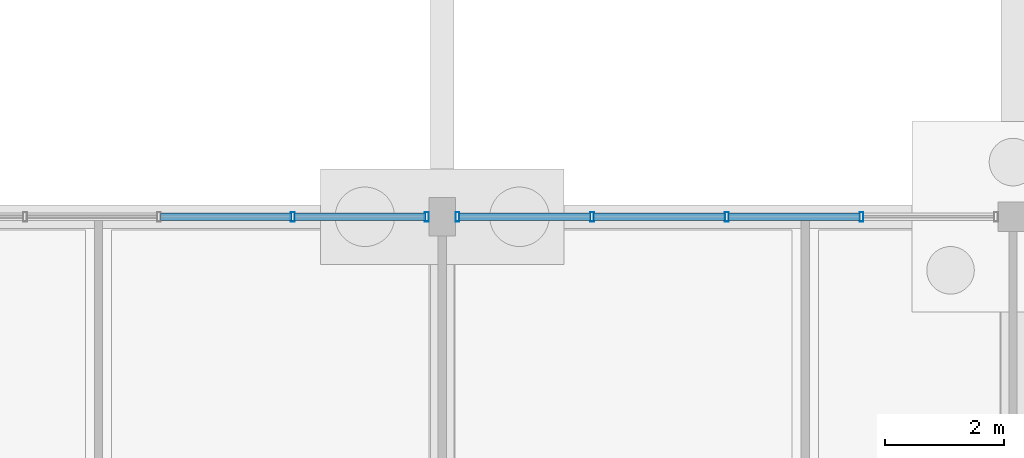
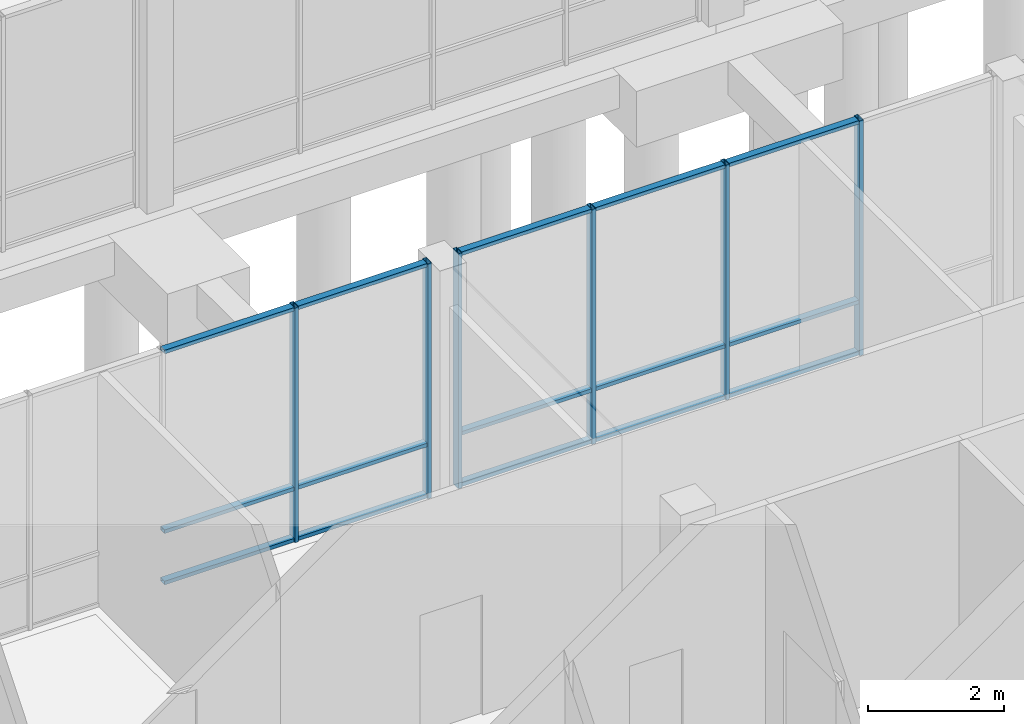
# One storey, part 51 of 104: 21 members, 2 elements without a shape of their own.
"""IFC4 building model written with IfcOpenShell, lengths in metres."""

from ifc_helpers import new_model, si_unit, direction, frame, origin, origin_2d, place, context, subcontext, project, spatial, hollow_rectangle, extrude, material, material_profile, profile_set, type_object, element, aggregate, save


model = new_model("IFC4")

# Units and contexts
model_context = context("Model", 3, precision=1e-05, world=origin(), true_north=direction((0.0, 1.0)))
body_context = subcontext(model_context, "Body", "Model", "MODEL_VIEW")
ifc_project = project(units=[si_unit("LENGTHUNIT", "METRE"), si_unit("AREAUNIT", "SQUARE_METRE"), si_unit("VOLUMEUNIT", "CUBIC_METRE"), si_unit("PLANEANGLEUNIT", "RADIAN"), si_unit("MASSUNIT", "GRAM", prefix="KILO")], contexts=[model_context])

# Site, building, storey
site_placement = place(None, origin())
site = spatial("IfcSite", under=ifc_project, at=site_placement, CompositionType="ELEMENT")
building_placement = place(site_placement, origin())
building = spatial("IfcBuilding", under=site, at=building_placement, Name="Hawrajan Terrace Health Centre", CompositionType="ELEMENT")
storey_placement = place(building_placement, origin())
storey = spatial("IfcBuildingStorey", under=building, at=storey_placement, Name="L00", CompositionType="ELEMENT", Elevation=0.0)

# Curtain wall, members
ifc_material_1 = material(Name="Anodized bronze aluminium and low-E solar glazing", Category="aluminium")
curtain_wall_type_1 = type_object("IfcCurtainWallType", Name="CW_Garden_SeriesF2", PredefinedType="USERDEFINED", material=ifc_material_1)
curtain_wall_1_placement = place(storey_placement, origin())
curtain_wall_1 = element("IfcCurtainWall", 1, at=curtain_wall_1_placement, inside=storey, type_object=curtain_wall_type_1, Name="Curtain wall CW-L00-039", ObjectType="UNITISED CURTAIN WALL", PredefinedType="USERDEFINED")
ifc_material_2 = material(Name="Anodized bronze aluminium 6063-T6", Category="aluminium")
ifc_material_profile_1 = material_profile(ifc_material_2, hollow_rectangle(XDim=0.06494140625, YDim=0.159912109375, WallThickness=0.00390625, at=origin_2d()), Name="CW MUL 65x160")
ifc_profile_set_1 = profile_set([ifc_material_profile_1], Name="Anodized bronze aluminium 6063-T6")
member_type_1 = type_object("IfcMemberType", Name="CWMullion_65x160", PredefinedType="MULLION", material=ifc_profile_set_1)
member_1_placement = place(storey_placement, frame((88.489990234375, 18.60009765625, -0.0048828125), z_axis=(0.0, 0.0, 1.0), x_axis=(1.0, 0.0, 0.0)))
member_1 = element("IfcMember", 2, at=member_1_placement, type_object=member_type_1, Name="Mullion CW-L00-039-M4", PredefinedType="MULLION", context=body_context, shape_type="SweptSolid", body=[
    extrude(hollow_rectangle(XDim=0.06494140625, YDim=0.159912109375, WallThickness=0.00390625, at=origin_2d()), origin(), (0.0, 0.0, 1.0), 4.2099609375),
])
member_2_placement = place(storey_placement, frame((90.742431640625, 18.60009765625, -0.0048828125), z_axis=(0.0, 0.0, 1.0), x_axis=(1.0, 0.0, 0.0)))
member_2 = element("IfcMember", 3, at=member_2_placement, type_object=member_type_1, Name="Mullion CW-L00-039-M5", PredefinedType="MULLION", context=body_context, shape_type="SweptSolid", body=[
    extrude(hollow_rectangle(XDim=0.06494140625, YDim=0.159912109375, WallThickness=0.00390625, at=origin_2d()), origin(), (0.0, 0.0, 1.0), 4.2099609375),
])

curtain_wall_type_2 = type_object("IfcCurtainWallType", Name="CW_Clerestory_SeriesG3", PredefinedType="USERDEFINED", material=ifc_material_1)
curtain_wall_2_placement = place(storey_placement, origin())
curtain_wall_2 = element("IfcCurtainWall", 4, at=curtain_wall_2_placement, inside=storey, type_object=curtain_wall_type_2, Name="Curtain wall CW-L00-042", ObjectType="UNITISED CURTAIN WALL", PredefinedType="USERDEFINED")
member_3_placement = place(storey_placement, frame((91.257568359375, 18.60009765625, -0.0048828125), z_axis=(0.0, 0.0, 1.0), x_axis=(1.0, 0.0, 0.0)))
member_3 = element("IfcMember", 5, at=member_3_placement, type_object=member_type_1, Name="Mullion CW-L00-042-M1", PredefinedType="MULLION", context=body_context, shape_type="SweptSolid", body=[
    extrude(hollow_rectangle(XDim=0.06494140625, YDim=0.159912109375, WallThickness=0.00390625, at=origin_2d()), origin(), (0.0, 0.0, 1.0), 4.2099609375),
])
member_4_placement = place(storey_placement, frame((93.5224609375, 18.60009765625, -0.0048828125), z_axis=(0.0, 0.0, 1.0), x_axis=(1.0, 0.0, 0.0)))
member_4 = element("IfcMember", 6, at=member_4_placement, type_object=member_type_1, Name="Mullion CW-L00-042-M2", PredefinedType="MULLION", context=body_context, shape_type="SweptSolid", body=[
    extrude(hollow_rectangle(XDim=0.06494140625, YDim=0.159912109375, WallThickness=0.00390625, at=origin_2d()), origin(), (0.0, 0.0, 1.0), 4.2099609375),
])
member_5_placement = place(storey_placement, frame((95.78759765625, 18.60009765625, -0.0048828125), z_axis=(0.0, 0.0, 1.0), x_axis=(1.0, 0.0, 0.0)))
member_5 = element("IfcMember", 7, at=member_5_placement, type_object=member_type_1, Name="Mullion CW-L00-042-M3", PredefinedType="MULLION", context=body_context, shape_type="SweptSolid", body=[
    extrude(hollow_rectangle(XDim=0.06494140625, YDim=0.159912109375, WallThickness=0.00390625, at=origin_2d()), origin(), (0.0, 0.0, 1.0), 4.2099609375),
])
member_6_placement = place(storey_placement, frame((98.052490234375, 18.60009765625, -0.0048828125), z_axis=(0.0, 0.0, 1.0), x_axis=(1.0, 0.0, 0.0)))
member_6 = element("IfcMember", 8, at=member_6_placement, type_object=member_type_1, Name="Mullion CW-L00-042-M4", PredefinedType="MULLION", context=body_context, shape_type="SweptSolid", body=[
    extrude(hollow_rectangle(XDim=0.06494140625, YDim=0.159912109375, WallThickness=0.00390625, at=origin_2d()), origin(), (0.0, 0.0, 1.0), 4.2099609375),
])

# Member
ifc_material_profile_2 = material_profile(ifc_material_2, hollow_rectangle(XDim=0.06494140625, YDim=0.1201171875, WallThickness=0.00341796875, at=origin_2d()), Name="CW TRN 65x120")
ifc_profile_set_2 = profile_set([ifc_material_profile_2], Name="Anodized bronze aluminium 6063-T6")
member_type_2 = type_object("IfcMemberType", Name="CWTransom_65x120", PredefinedType="USERDEFINED", material=ifc_profile_set_2)
member_7_placement = place(storey_placement, frame((86.263916015625, 18.60009765625, 0.032470703125), z_axis=(1.0, 0.0, 0.0), x_axis=(0.0, 0.0, 1.0)))
member_7 = element("IfcMember", 9, at=member_7_placement, type_object=member_type_2, Name="Transom CW-L00-039-T3-1", ObjectType="TRANSOM", PredefinedType="USERDEFINED", context=body_context, shape_type="SweptSolid", body=[
    extrude(hollow_rectangle(XDim=0.06494140625, YDim=0.1201171875, WallThickness=0.00341796875, at=origin_2d()), origin(), (0.0, 0.0, 1.0), 2.199462890625),
])

member_8_placement = place(storey_placement, frame((86.263916015625, 18.60009765625, 0.949951171875), z_axis=(1.0, 0.0, 0.0), x_axis=(0.0, 0.0, 1.0)))
member_8 = element("IfcMember", 10, at=member_8_placement, type_object=member_type_2, Name="Transom CW-L00-039-T3-2", ObjectType="TRANSOM", PredefinedType="USERDEFINED", context=body_context, shape_type="SweptSolid", body=[
    extrude(hollow_rectangle(XDim=0.06494140625, YDim=0.1201171875, WallThickness=0.00341796875, at=origin_2d()), origin(), (0.0, 0.0, 1.0), 2.199462890625),
])

member_9_placement = place(storey_placement, frame((86.263916015625, 18.60009765625, 4.16748046875), z_axis=(1.0, 0.0, 0.0), x_axis=(0.0, 0.0, 1.0)))
member_9 = element("IfcMember", 11, at=member_9_placement, type_object=member_type_2, Name="Transom CW-L00-039-T3-3", ObjectType="TRANSOM", PredefinedType="USERDEFINED", context=body_context, shape_type="SweptSolid", body=[
    extrude(hollow_rectangle(XDim=0.06494140625, YDim=0.1201171875, WallThickness=0.00341796875, at=origin_2d()), origin(), (0.0, 0.0, 1.0), 2.199462890625),
])

member_10_placement = place(storey_placement, frame((88.5166015625, 18.60009765625, 0.032470703125), z_axis=(1.0, 0.0, 0.0), x_axis=(0.0, 0.0, 1.0)))
member_10 = element("IfcMember", 12, at=member_10_placement, type_object=member_type_2, Name="Transom CW-L00-039-T4-1", ObjectType="TRANSOM", PredefinedType="USERDEFINED", context=body_context, shape_type="SweptSolid", body=[
    extrude(hollow_rectangle(XDim=0.06494140625, YDim=0.1201171875, WallThickness=0.00341796875, at=origin_2d()), origin(), (0.0, 0.0, 1.0), 2.199462890625),
])

member_11_placement = place(storey_placement, frame((88.5166015625, 18.60009765625, 0.949951171875), z_axis=(1.0, 0.0, 0.0), x_axis=(0.0, 0.0, 1.0)))
member_11 = element("IfcMember", 13, at=member_11_placement, type_object=member_type_2, Name="Transom CW-L00-039-T4-2", ObjectType="TRANSOM", PredefinedType="USERDEFINED", context=body_context, shape_type="SweptSolid", body=[
    extrude(hollow_rectangle(XDim=0.06494140625, YDim=0.1201171875, WallThickness=0.00341796875, at=origin_2d()), origin(), (0.0, 0.0, 1.0), 2.199462890625),
])

member_12_placement = place(storey_placement, frame((88.5166015625, 18.60009765625, 4.16748046875), z_axis=(1.0, 0.0, 0.0), x_axis=(0.0, 0.0, 1.0)))
member_12 = element("IfcMember", 14, at=member_12_placement, type_object=member_type_2, Name="Transom CW-L00-039-T4-3", ObjectType="TRANSOM", PredefinedType="USERDEFINED", context=body_context, shape_type="SweptSolid", body=[
    extrude(hollow_rectangle(XDim=0.06494140625, YDim=0.1201171875, WallThickness=0.00341796875, at=origin_2d()), origin(), (0.0, 0.0, 1.0), 2.199462890625),
])

aggregate(curtain_wall_1, [member_1, member_2, member_7, member_8, member_9, member_10, member_11, member_12])

member_13_placement = place(storey_placement, frame((91.283935546875, 18.60009765625, 0.032470703125), z_axis=(1.0, 0.0, 0.0), x_axis=(0.0, 0.0, 1.0)))
member_13 = element("IfcMember", 15, at=member_13_placement, type_object=member_type_2, Name="Transom CW-L00-042-T1-1", ObjectType="TRANSOM", PredefinedType="USERDEFINED", context=body_context, shape_type="SweptSolid", body=[
    extrude(hollow_rectangle(XDim=0.06494140625, YDim=0.1201171875, WallThickness=0.00341796875, at=origin_2d()), origin(), (0.0, 0.0, 1.0), 2.212158203125),
])

member_14_placement = place(storey_placement, frame((91.283935546875, 18.60009765625, 0.949951171875), z_axis=(1.0, 0.0, 0.0), x_axis=(0.0, 0.0, 1.0)))
member_14 = element("IfcMember", 16, at=member_14_placement, type_object=member_type_2, Name="Transom CW-L00-042-T1-2", ObjectType="TRANSOM", PredefinedType="USERDEFINED", context=body_context, shape_type="SweptSolid", body=[
    extrude(hollow_rectangle(XDim=0.06494140625, YDim=0.1201171875, WallThickness=0.00341796875, at=origin_2d()), origin(), (0.0, 0.0, 1.0), 2.212158203125),
])

member_15_placement = place(storey_placement, frame((91.283935546875, 18.60009765625, 4.16748046875), z_axis=(1.0, 0.0, 0.0), x_axis=(0.0, 0.0, 1.0)))
member_15 = element("IfcMember", 17, at=member_15_placement, type_object=member_type_2, Name="Transom CW-L00-042-T1-3", ObjectType="TRANSOM", PredefinedType="USERDEFINED", context=body_context, shape_type="SweptSolid", body=[
    extrude(hollow_rectangle(XDim=0.06494140625, YDim=0.1201171875, WallThickness=0.00341796875, at=origin_2d()), origin(), (0.0, 0.0, 1.0), 2.212158203125),
])

member_16_placement = place(storey_placement, frame((93.549072265625, 18.60009765625, 0.032470703125), z_axis=(1.0, 0.0, 0.0), x_axis=(0.0, 0.0, 1.0)))
member_16 = element("IfcMember", 18, at=member_16_placement, type_object=member_type_2, Name="Transom CW-L00-042-T2-1", ObjectType="TRANSOM", PredefinedType="USERDEFINED", context=body_context, shape_type="SweptSolid", body=[
    extrude(hollow_rectangle(XDim=0.06494140625, YDim=0.1201171875, WallThickness=0.00341796875, at=origin_2d()), origin(), (0.0, 0.0, 1.0), 2.2119140625),
])

member_17_placement = place(storey_placement, frame((93.549072265625, 18.60009765625, 0.949951171875), z_axis=(1.0, 0.0, 0.0), x_axis=(0.0, 0.0, 1.0)))
member_17 = element("IfcMember", 19, at=member_17_placement, type_object=member_type_2, Name="Transom CW-L00-042-T2-2", ObjectType="TRANSOM", PredefinedType="USERDEFINED", context=body_context, shape_type="SweptSolid", body=[
    extrude(hollow_rectangle(XDim=0.06494140625, YDim=0.1201171875, WallThickness=0.00341796875, at=origin_2d()), origin(), (0.0, 0.0, 1.0), 2.2119140625),
])

member_18_placement = place(storey_placement, frame((93.549072265625, 18.60009765625, 4.16748046875), z_axis=(1.0, 0.0, 0.0), x_axis=(0.0, 0.0, 1.0)))
member_18 = element("IfcMember", 20, at=member_18_placement, type_object=member_type_2, Name="Transom CW-L00-042-T2-3", ObjectType="TRANSOM", PredefinedType="USERDEFINED", context=body_context, shape_type="SweptSolid", body=[
    extrude(hollow_rectangle(XDim=0.06494140625, YDim=0.1201171875, WallThickness=0.00341796875, at=origin_2d()), origin(), (0.0, 0.0, 1.0), 2.2119140625),
])

member_19_placement = place(storey_placement, frame((95.81396484375, 18.60009765625, 0.032470703125), z_axis=(1.0, 0.0, 0.0), x_axis=(0.0, 0.0, 1.0)))
member_19 = element("IfcMember", 21, at=member_19_placement, type_object=member_type_2, Name="Transom CW-L00-042-T3-1", ObjectType="TRANSOM", PredefinedType="USERDEFINED", context=body_context, shape_type="SweptSolid", body=[
    extrude(hollow_rectangle(XDim=0.06494140625, YDim=0.1201171875, WallThickness=0.00341796875, at=origin_2d()), origin(), (0.0, 0.0, 1.0), 2.2119140625),
])

member_20_placement = place(storey_placement, frame((95.81396484375, 18.60009765625, 0.949951171875), z_axis=(1.0, 0.0, 0.0), x_axis=(0.0, 0.0, 1.0)))
member_20 = element("IfcMember", 22, at=member_20_placement, type_object=member_type_2, Name="Transom CW-L00-042-T3-2", ObjectType="TRANSOM", PredefinedType="USERDEFINED", context=body_context, shape_type="SweptSolid", body=[
    extrude(hollow_rectangle(XDim=0.06494140625, YDim=0.1201171875, WallThickness=0.00341796875, at=origin_2d()), origin(), (0.0, 0.0, 1.0), 2.2119140625),
])

member_21_placement = place(storey_placement, frame((95.81396484375, 18.60009765625, 4.16748046875), z_axis=(1.0, 0.0, 0.0), x_axis=(0.0, 0.0, 1.0)))
member_21 = element("IfcMember", 23, at=member_21_placement, type_object=member_type_2, Name="Transom CW-L00-042-T3-3", ObjectType="TRANSOM", PredefinedType="USERDEFINED", context=body_context, shape_type="SweptSolid", body=[
    extrude(hollow_rectangle(XDim=0.06494140625, YDim=0.1201171875, WallThickness=0.00341796875, at=origin_2d()), origin(), (0.0, 0.0, 1.0), 2.2119140625),
])

aggregate(curtain_wall_2, [member_3, member_4, member_5, member_6, member_13, member_14, member_15, member_16, member_17, member_18, member_19, member_20, member_21])

save(model, "model.ifc")
